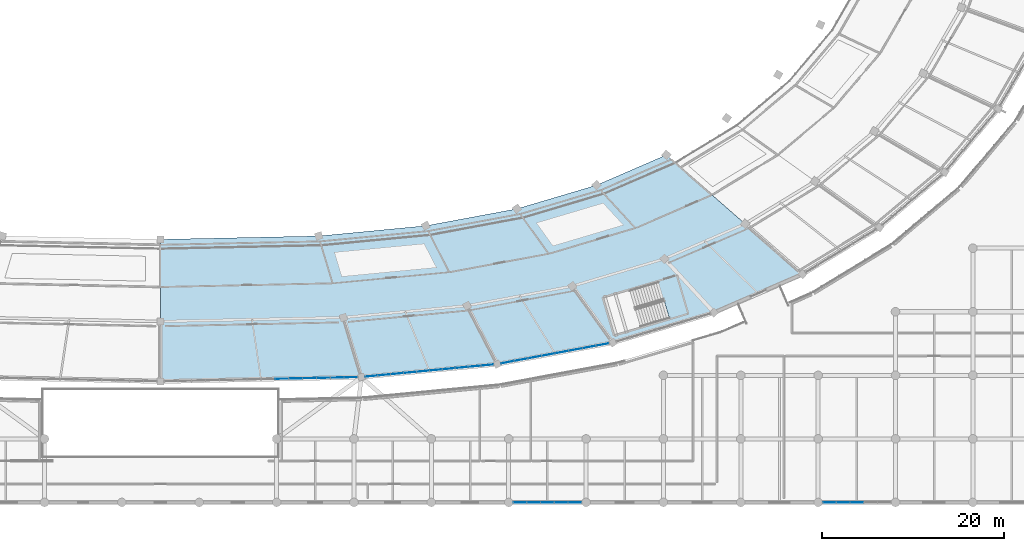
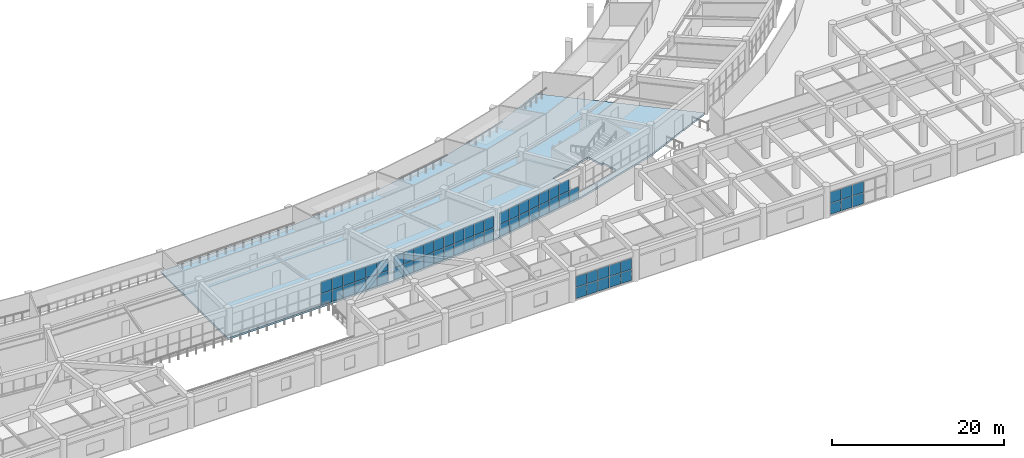
# One storey, part 78 of 141: 63 plates, 1 slab, 5 elements without a shape of their own.
"""IFC4 building model written with IfcOpenShell, lengths in metres."""

from ifc_helpers import new_model, si_unit, direction, frame, origin, origin_2d, place, context, subcontext, project, spatial, polyline, rectangle, outline, extrude, material, layer, layer_set, type_object, element, aggregate, save


model = new_model("IFC4")

# Units and contexts
model_context = context("Model", 3, precision=1e-05, world=origin(), true_north=direction((0.0, 1.0)))
body_context = subcontext(model_context, "Body", "Model", "MODEL_VIEW")
ifc_project = project(units=[si_unit("LENGTHUNIT", "METRE"), si_unit("AREAUNIT", "SQUARE_METRE"), si_unit("VOLUMEUNIT", "CUBIC_METRE"), si_unit("PLANEANGLEUNIT", "RADIAN"), si_unit("MASSUNIT", "GRAM", prefix="KILO")], contexts=[model_context])

# Site, building, storey
site_placement = place(None, origin())
site = spatial("IfcSite", under=ifc_project, at=site_placement, CompositionType="ELEMENT")
building_placement = place(site_placement, origin())
building = spatial("IfcBuilding", under=site, at=building_placement, Name="Mphavela Belvedere Stadium", CompositionType="ELEMENT")
storey_placement = place(building_placement, frame((0.0, 0.0, 14.699951171875)))
storey = spatial("IfcBuildingStorey", under=building, at=storey_placement, Name="L03", CompositionType="ELEMENT", Elevation=14.699951171875)

# Curtain wall, plates
ifc_material_1 = material(Name="Anodised bronze unitised curtain wall framing")
ifc_layer_1 = layer(ifc_material_1, 0.179931640625)
ifc_layer_set_1 = layer_set([ifc_layer_1], Name="Anodised bronze unitised curtain wall framing")
curtain_wall_type_1 = type_object("IfcCurtainWallType", Name="CW-UNIT-01", PredefinedType="USERDEFINED", material=ifc_layer_set_1)
curtain_wall_1_placement = place(storey_placement, origin())
curtain_wall_1 = element("IfcCurtainWall", 1, at=curtain_wall_1_placement, inside=storey, type_object=curtain_wall_type_1, Name="Belvedere colonnade curtain wall L03-37", ObjectType="UNITISED CURTAIN WALL", PredefinedType="USERDEFINED")
ifc_material_2 = material(Name="Solar-control double glazing", Category="glass")
ifc_layer_2 = layer(ifc_material_2, 0.031982421875)
ifc_layer_set_2 = layer_set([ifc_layer_2], Name="Solar-control double glazing")
plate_type = type_object("IfcPlateType", Name="CWP-SOLAR-GLASS", PredefinedType="CURTAIN_PANEL", material=ifc_layer_set_2)
plate_1_placement = place(storey_placement, frame((128.346923828125, 13.617431640625, 0.06005859375), z_axis=(0.0, 0.0, 1.0), x_axis=(0.999768179453, 0.02153107878, 0.0)))
plate_1 = element("IfcPlate", 2, at=plate_1_placement, type_object=plate_type, Name="CW-01 panel 9.1", PredefinedType="CURTAIN_PANEL", context=body_context, shape_type="SweptSolid", body=[
    extrude(rectangle(XDim=1.461669921875, YDim=0.031982421875, at=origin_2d()), origin(), (0.0, 0.0, 1.0), 1.6201171875),
])
plate_2_placement = place(storey_placement, frame((128.346923828125, 13.617431640625, 1.739990234375), z_axis=(0.0, 0.0, 1.0), x_axis=(0.999768179453, 0.02153107878, 0.0)))
plate_2 = element("IfcPlate", 3, at=plate_2_placement, type_object=plate_type, Name="CW-01 panel 9.2", PredefinedType="CURTAIN_PANEL", context=body_context, shape_type="SweptSolid", body=[
    extrude(rectangle(XDim=1.461669921875, YDim=0.031982421875, at=origin_2d()), origin(), (0.0, 0.0, 1.0), 1.6201171875),
])
plate_3_placement = place(storey_placement, frame((129.873046875, 13.650390625, 0.06005859375), z_axis=(0.0, 0.0, 1.0), x_axis=(0.999768179453, 0.02153107878, 0.0)))
plate_3 = element("IfcPlate", 4, at=plate_3_placement, type_object=plate_type, Name="CW-01 panel 10.1", PredefinedType="CURTAIN_PANEL", context=body_context, shape_type="SweptSolid", body=[
    extrude(rectangle(XDim=1.461669921875, YDim=0.031982421875, at=origin_2d()), origin(), (0.0, 0.0, 1.0), 1.6201171875),
])
plate_4_placement = place(storey_placement, frame((129.873046875, 13.650390625, 1.739990234375), z_axis=(0.0, 0.0, 1.0), x_axis=(0.999768179453, 0.02153107878, 0.0)))
plate_4 = element("IfcPlate", 5, at=plate_4_placement, type_object=plate_type, Name="CW-01 panel 10.2", PredefinedType="CURTAIN_PANEL", context=body_context, shape_type="SweptSolid", body=[
    extrude(rectangle(XDim=1.461669921875, YDim=0.031982421875, at=origin_2d()), origin(), (0.0, 0.0, 1.0), 1.6201171875),
])
plate_5_placement = place(storey_placement, frame((131.3994140625, 13.68310546875, 0.06005859375), z_axis=(0.0, 0.0, 1.0), x_axis=(0.999768179453, 0.02153107878, 0.0)))
plate_5 = element("IfcPlate", 6, at=plate_5_placement, type_object=plate_type, Name="CW-01 panel 11.1", PredefinedType="CURTAIN_PANEL", context=body_context, shape_type="SweptSolid", body=[
    extrude(rectangle(XDim=1.461669921875, YDim=0.031982421875, at=origin_2d()), origin(), (0.0, 0.0, 1.0), 1.6201171875),
])
plate_6_placement = place(storey_placement, frame((131.3994140625, 13.68310546875, 1.739990234375), z_axis=(0.0, 0.0, 1.0), x_axis=(0.999768179453, 0.02153107878, 0.0)))
plate_6 = element("IfcPlate", 7, at=plate_6_placement, type_object=plate_type, Name="CW-01 panel 11.2", PredefinedType="CURTAIN_PANEL", context=body_context, shape_type="SweptSolid", body=[
    extrude(rectangle(XDim=1.461669921875, YDim=0.031982421875, at=origin_2d()), origin(), (0.0, 0.0, 1.0), 1.6201171875),
])
plate_7_placement = place(storey_placement, frame((132.92578125, 13.716064453125, 0.06005859375), z_axis=(0.0, 0.0, 1.0), x_axis=(0.999768179453, 0.02153107878, 0.0)))
plate_7 = element("IfcPlate", 8, at=plate_7_placement, type_object=plate_type, Name="CW-01 panel 12.1", PredefinedType="CURTAIN_PANEL", context=body_context, shape_type="SweptSolid", body=[
    extrude(rectangle(XDim=1.461669921875, YDim=0.031982421875, at=origin_2d()), origin(), (0.0, 0.0, 1.0), 1.6201171875),
])
plate_8_placement = place(storey_placement, frame((132.92578125, 13.716064453125, 1.739990234375), z_axis=(0.0, 0.0, 1.0), x_axis=(0.999768179453, 0.02153107878, 0.0)))
plate_8 = element("IfcPlate", 9, at=plate_8_placement, type_object=plate_type, Name="CW-01 panel 12.2", PredefinedType="CURTAIN_PANEL", context=body_context, shape_type="SweptSolid", body=[
    extrude(rectangle(XDim=1.461669921875, YDim=0.031982421875, at=origin_2d()), origin(), (0.0, 0.0, 1.0), 1.6201171875),
])
plate_9_placement = place(storey_placement, frame((134.4521484375, 13.748779296875, 0.06005859375), z_axis=(0.0, 0.0, 1.0), x_axis=(0.999768179453, 0.02153107878, 0.0)))
plate_9 = element("IfcPlate", 10, at=plate_9_placement, type_object=plate_type, Name="CW-01 panel 13.1", PredefinedType="CURTAIN_PANEL", context=body_context, shape_type="SweptSolid", body=[
    extrude(rectangle(XDim=1.461669921875, YDim=0.031982421875, at=origin_2d()), origin(), (0.0, 0.0, 1.0), 1.6201171875),
])
plate_10_placement = place(storey_placement, frame((134.4521484375, 13.748779296875, 1.739990234375), z_axis=(0.0, 0.0, 1.0), x_axis=(0.999768179453, 0.02153107878, 0.0)))
plate_10 = element("IfcPlate", 11, at=plate_10_placement, type_object=plate_type, Name="CW-01 panel 13.2", PredefinedType="CURTAIN_PANEL", context=body_context, shape_type="SweptSolid", body=[
    extrude(rectangle(XDim=1.461669921875, YDim=0.031982421875, at=origin_2d()), origin(), (0.0, 0.0, 1.0), 1.6201171875),
])
plate_11_placement = place(storey_placement, frame((135.96240234375, 13.781494140625, 0.06005859375), z_axis=(0.0, 0.0, 1.0), x_axis=(0.999768179453, 0.02153107878, 0.0)))
plate_11 = element("IfcPlate", 12, at=plate_11_placement, type_object=plate_type, Name="CW-01 panel 14.1", PredefinedType="CURTAIN_PANEL", context=body_context, shape_type="SweptSolid", body=[
    extrude(rectangle(XDim=1.42919921875, YDim=0.031982421875, at=origin_2d()), origin(), (0.0, 0.0, 1.0), 1.6201171875),
])
plate_12_placement = place(storey_placement, frame((135.96240234375, 13.781494140625, 1.739990234375), z_axis=(0.0, 0.0, 1.0), x_axis=(0.999768179453, 0.02153107878, 0.0)))
plate_12 = element("IfcPlate", 13, at=plate_12_placement, type_object=plate_type, Name="CW-01 panel 14.2", PredefinedType="CURTAIN_PANEL", context=body_context, shape_type="SweptSolid", body=[
    extrude(rectangle(XDim=1.42919921875, YDim=0.031982421875, at=origin_2d()), origin(), (0.0, 0.0, 1.0), 1.6201171875),
])
aggregate(curtain_wall_1, [plate_1, plate_2, plate_3, plate_4, plate_5, plate_6, plate_7, plate_8, plate_9, plate_10, plate_11, plate_12])

ifc_material_3 = material(Name="Anodised bronze unitised curtain wall framing")
ifc_layer_3 = layer(ifc_material_3, 0.18505859375)
ifc_layer_set_3 = layer_set([ifc_layer_3], Name="Anodised bronze unitised curtain wall framing")
curtain_wall_type_2 = type_object("IfcCurtainWallType", Name="CW-UNIT-02", PredefinedType="USERDEFINED", material=ifc_layer_set_3)
curtain_wall_2_placement = place(storey_placement, origin())
curtain_wall_2 = element("IfcCurtainWall", 14, at=curtain_wall_2_placement, inside=storey, type_object=curtain_wall_type_2, Name="Belvedere colonnade curtain wall L03-38", ObjectType="UNITISED CURTAIN WALL", PredefinedType="USERDEFINED")
plate_13_placement = place(storey_placement, frame((138.212890625, 13.910888671875, 0.06005859375), z_axis=(0.0, 0.0, 1.0), x_axis=(0.99548400913, 0.094929381996, 0.0)))
plate_13 = element("IfcPlate", 15, at=plate_13_placement, type_object=plate_type, Name="CW-02 panel 1.1", PredefinedType="CURTAIN_PANEL", context=body_context, shape_type="SweptSolid", body=[
    extrude(rectangle(XDim=1.33056640625, YDim=0.031982421875, at=origin_2d()), origin(), (0.0, 0.0, 1.0), 1.6201171875),
])
plate_14_placement = place(storey_placement, frame((138.212890625, 13.910888671875, 1.739990234375), z_axis=(0.0, 0.0, 1.0), x_axis=(0.99548400913, 0.094929381996, 0.0)))
plate_14 = element("IfcPlate", 16, at=plate_14_placement, type_object=plate_type, Name="CW-02 panel 1.2", PredefinedType="CURTAIN_PANEL", context=body_context, shape_type="SweptSolid", body=[
    extrude(rectangle(XDim=1.33056640625, YDim=0.031982421875, at=origin_2d()), origin(), (0.0, 0.0, 1.0), 1.6201171875),
])
plate_15_placement = place(storey_placement, frame((139.6181640625, 14.044921875, 0.06005859375), z_axis=(0.0, 0.0, 1.0), x_axis=(0.99548400913, 0.094929381996, 0.0)))
plate_15 = element("IfcPlate", 17, at=plate_15_placement, type_object=plate_type, Name="CW-02 panel 2.1", PredefinedType="CURTAIN_PANEL", context=body_context, shape_type="SweptSolid", body=[
    extrude(rectangle(XDim=1.363037109375, YDim=0.031982421875, at=origin_2d()), origin(), (0.0, 0.0, 1.0), 1.6201171875),
])
plate_16_placement = place(storey_placement, frame((139.6181640625, 14.044921875, 1.739990234375), z_axis=(0.0, 0.0, 1.0), x_axis=(0.99548400913, 0.094929381996, 0.0)))
plate_16 = element("IfcPlate", 18, at=plate_16_placement, type_object=plate_type, Name="CW-02 panel 2.2", PredefinedType="CURTAIN_PANEL", context=body_context, shape_type="SweptSolid", body=[
    extrude(rectangle(XDim=1.363037109375, YDim=0.031982421875, at=origin_2d()), origin(), (0.0, 0.0, 1.0), 1.6201171875),
])
plate_17_placement = place(storey_placement, frame((141.039794921875, 14.180419921875, 0.06005859375), z_axis=(0.0, 0.0, 1.0), x_axis=(0.99548400913, 0.094929381996, 0.0)))
plate_17 = element("IfcPlate", 19, at=plate_17_placement, type_object=plate_type, Name="CW-02 panel 3.1", PredefinedType="CURTAIN_PANEL", context=body_context, shape_type="SweptSolid", body=[
    extrude(rectangle(XDim=1.363037109375, YDim=0.031982421875, at=origin_2d()), origin(), (0.0, 0.0, 1.0), 1.6201171875),
])
plate_18_placement = place(storey_placement, frame((141.039794921875, 14.180419921875, 1.739990234375), z_axis=(0.0, 0.0, 1.0), x_axis=(0.99548400913, 0.094929381996, 0.0)))
plate_18 = element("IfcPlate", 20, at=plate_18_placement, type_object=plate_type, Name="CW-02 panel 3.2", PredefinedType="CURTAIN_PANEL", context=body_context, shape_type="SweptSolid", body=[
    extrude(rectangle(XDim=1.363037109375, YDim=0.031982421875, at=origin_2d()), origin(), (0.0, 0.0, 1.0), 1.6201171875),
])
plate_19_placement = place(storey_placement, frame((142.46142578125, 14.316162109375, 0.06005859375), z_axis=(0.0, 0.0, 1.0), x_axis=(0.99548400913, 0.094929381996, 0.0)))
plate_19 = element("IfcPlate", 21, at=plate_19_placement, type_object=plate_type, Name="CW-02 panel 4.1", PredefinedType="CURTAIN_PANEL", context=body_context, shape_type="SweptSolid", body=[
    extrude(rectangle(XDim=1.363037109375, YDim=0.031982421875, at=origin_2d()), origin(), (0.0, 0.0, 1.0), 1.6201171875),
])
plate_20_placement = place(storey_placement, frame((142.46142578125, 14.316162109375, 1.739990234375), z_axis=(0.0, 0.0, 1.0), x_axis=(0.99548400913, 0.094929381996, 0.0)))
plate_20 = element("IfcPlate", 22, at=plate_20_placement, type_object=plate_type, Name="CW-02 panel 4.2", PredefinedType="CURTAIN_PANEL", context=body_context, shape_type="SweptSolid", body=[
    extrude(rectangle(XDim=1.363037109375, YDim=0.031982421875, at=origin_2d()), origin(), (0.0, 0.0, 1.0), 1.6201171875),
])
plate_21_placement = place(storey_placement, frame((143.8828125, 14.45166015625, 0.06005859375), z_axis=(0.0, 0.0, 1.0), x_axis=(0.99548400913, 0.094929381996, 0.0)))
plate_21 = element("IfcPlate", 23, at=plate_21_placement, type_object=plate_type, Name="CW-02 panel 5.1", PredefinedType="CURTAIN_PANEL", context=body_context, shape_type="SweptSolid", body=[
    extrude(rectangle(XDim=1.363037109375, YDim=0.031982421875, at=origin_2d()), origin(), (0.0, 0.0, 1.0), 1.6201171875),
])
plate_22_placement = place(storey_placement, frame((143.8828125, 14.45166015625, 1.739990234375), z_axis=(0.0, 0.0, 1.0), x_axis=(0.99548400913, 0.094929381996, 0.0)))
plate_22 = element("IfcPlate", 24, at=plate_22_placement, type_object=plate_type, Name="CW-02 panel 5.2", PredefinedType="CURTAIN_PANEL", context=body_context, shape_type="SweptSolid", body=[
    extrude(rectangle(XDim=1.363037109375, YDim=0.031982421875, at=origin_2d()), origin(), (0.0, 0.0, 1.0), 1.6201171875),
])
plate_23_placement = place(storey_placement, frame((145.304443359375, 14.587158203125, 0.06005859375), z_axis=(0.0, 0.0, 1.0), x_axis=(0.99548400913, 0.094929381996, 0.0)))
plate_23 = element("IfcPlate", 25, at=plate_23_placement, type_object=plate_type, Name="CW-02 panel 6.1", PredefinedType="CURTAIN_PANEL", context=body_context, shape_type="SweptSolid", body=[
    extrude(rectangle(XDim=1.363037109375, YDim=0.031982421875, at=origin_2d()), origin(), (0.0, 0.0, 1.0), 1.6201171875),
])
plate_24_placement = place(storey_placement, frame((145.304443359375, 14.587158203125, 1.739990234375), z_axis=(0.0, 0.0, 1.0), x_axis=(0.99548400913, 0.094929381996, 0.0)))
plate_24 = element("IfcPlate", 26, at=plate_24_placement, type_object=plate_type, Name="CW-02 panel 6.2", PredefinedType="CURTAIN_PANEL", context=body_context, shape_type="SweptSolid", body=[
    extrude(rectangle(XDim=1.363037109375, YDim=0.031982421875, at=origin_2d()), origin(), (0.0, 0.0, 1.0), 1.6201171875),
])
plate_25_placement = place(storey_placement, frame((146.72607421875, 14.72265625, 0.06005859375), z_axis=(0.0, 0.0, 1.0), x_axis=(0.99548400913, 0.094929381996, 0.0)))
plate_25 = element("IfcPlate", 27, at=plate_25_placement, type_object=plate_type, Name="CW-02 panel 7.1", PredefinedType="CURTAIN_PANEL", context=body_context, shape_type="SweptSolid", body=[
    extrude(rectangle(XDim=1.363037109375, YDim=0.031982421875, at=origin_2d()), origin(), (0.0, 0.0, 1.0), 1.6201171875),
])
plate_26_placement = place(storey_placement, frame((146.72607421875, 14.72265625, 1.739990234375), z_axis=(0.0, 0.0, 1.0), x_axis=(0.99548400913, 0.094929381996, 0.0)))
plate_26 = element("IfcPlate", 28, at=plate_26_placement, type_object=plate_type, Name="CW-02 panel 7.2", PredefinedType="CURTAIN_PANEL", context=body_context, shape_type="SweptSolid", body=[
    extrude(rectangle(XDim=1.363037109375, YDim=0.031982421875, at=origin_2d()), origin(), (0.0, 0.0, 1.0), 1.6201171875),
])
plate_27_placement = place(storey_placement, frame((148.147705078125, 14.8583984375, 0.06005859375), z_axis=(0.0, 0.0, 1.0), x_axis=(0.99548400913, 0.094929381996, 0.0)))
plate_27 = element("IfcPlate", 29, at=plate_27_placement, type_object=plate_type, Name="CW-02 panel 8.1", PredefinedType="CURTAIN_PANEL", context=body_context, shape_type="SweptSolid", body=[
    extrude(rectangle(XDim=1.363037109375, YDim=0.031982421875, at=origin_2d()), origin(), (0.0, 0.0, 1.0), 1.6201171875),
])
plate_28_placement = place(storey_placement, frame((148.147705078125, 14.8583984375, 1.739990234375), z_axis=(0.0, 0.0, 1.0), x_axis=(0.99548400913, 0.094929381996, 0.0)))
plate_28 = element("IfcPlate", 30, at=plate_28_placement, type_object=plate_type, Name="CW-02 panel 8.2", PredefinedType="CURTAIN_PANEL", context=body_context, shape_type="SweptSolid", body=[
    extrude(rectangle(XDim=1.363037109375, YDim=0.031982421875, at=origin_2d()), origin(), (0.0, 0.0, 1.0), 1.6201171875),
])
plate_29_placement = place(storey_placement, frame((149.569091796875, 14.993896484375, 0.06005859375), z_axis=(0.0, 0.0, 1.0), x_axis=(0.99548400913, 0.094929381996, 0.0)))
plate_29 = element("IfcPlate", 31, at=plate_29_placement, type_object=plate_type, Name="CW-02 panel 9.1", PredefinedType="CURTAIN_PANEL", context=body_context, shape_type="SweptSolid", body=[
    extrude(rectangle(XDim=1.363037109375, YDim=0.031982421875, at=origin_2d()), origin(), (0.0, 0.0, 1.0), 1.6201171875),
])
plate_30_placement = place(storey_placement, frame((149.569091796875, 14.993896484375, 1.739990234375), z_axis=(0.0, 0.0, 1.0), x_axis=(0.99548400913, 0.094929381996, 0.0)))
plate_30 = element("IfcPlate", 32, at=plate_30_placement, type_object=plate_type, Name="CW-02 panel 9.2", PredefinedType="CURTAIN_PANEL", context=body_context, shape_type="SweptSolid", body=[
    extrude(rectangle(XDim=1.363037109375, YDim=0.031982421875, at=origin_2d()), origin(), (0.0, 0.0, 1.0), 1.6201171875),
])
plate_31_placement = place(storey_placement, frame((150.974609375, 15.1279296875, 0.06005859375), z_axis=(0.0, 0.0, 1.0), x_axis=(0.99548400913, 0.094929381996, 0.0)))
plate_31 = element("IfcPlate", 33, at=plate_31_placement, type_object=plate_type, Name="CW-02 panel 10.1", PredefinedType="CURTAIN_PANEL", context=body_context, shape_type="SweptSolid", body=[
    extrude(rectangle(XDim=1.33056640625, YDim=0.031982421875, at=origin_2d()), origin(), (0.0, 0.0, 1.0), 1.6201171875),
])
plate_32_placement = place(storey_placement, frame((150.974609375, 15.1279296875, 1.739990234375), z_axis=(0.0, 0.0, 1.0), x_axis=(0.99548400913, 0.094929381996, 0.0)))
plate_32 = element("IfcPlate", 34, at=plate_32_placement, type_object=plate_type, Name="CW-02 panel 10.2", PredefinedType="CURTAIN_PANEL", context=body_context, shape_type="SweptSolid", body=[
    extrude(rectangle(XDim=1.33056640625, YDim=0.031982421875, at=origin_2d()), origin(), (0.0, 0.0, 1.0), 1.6201171875),
])
aggregate(curtain_wall_2, [plate_13, plate_14, plate_15, plate_16, plate_17, plate_18, plate_19, plate_20, plate_21, plate_22, plate_23, plate_24, plate_25, plate_26, plate_27, plate_28, plate_29, plate_30, plate_31, plate_32])

ifc_material_4 = material(Name="Anodised bronze unitised curtain wall framing")
ifc_layer_4 = layer(ifc_material_4, 0.18994140625)
ifc_layer_set_4 = layer_set([ifc_layer_4], Name="Anodised bronze unitised curtain wall framing")
curtain_wall_type_3 = type_object("IfcCurtainWallType", Name="CW-UNIT-03", PredefinedType="USERDEFINED", material=ifc_layer_set_4)
curtain_wall_3_placement = place(storey_placement, origin())
curtain_wall_3 = element("IfcCurtainWall", 35, at=curtain_wall_3_placement, inside=storey, type_object=curtain_wall_type_3, Name="Belvedere colonnade curtain wall L03-39", ObjectType="UNITISED CURTAIN WALL", PredefinedType="USERDEFINED")
plate_33_placement = place(storey_placement, frame((153.205078125, 15.443603515625, 0.06005859375), z_axis=(0.0, 0.0, 1.0), x_axis=(0.983096546836, 0.18308790129, 0.0)))
plate_33 = element("IfcPlate", 36, at=plate_33_placement, type_object=plate_type, Name="CW-03 panel 1.1", PredefinedType="CURTAIN_PANEL", context=body_context, shape_type="SweptSolid", body=[
    extrude(rectangle(XDim=1.427734375, YDim=0.031982421875, at=origin_2d()), origin(), (0.0, 0.0, 1.0), 1.6201171875),
])
plate_34_placement = place(storey_placement, frame((153.205078125, 15.443603515625, 1.739990234375), z_axis=(0.0, 0.0, 1.0), x_axis=(0.983096546836, 0.18308790129, 0.0)))
plate_34 = element("IfcPlate", 37, at=plate_34_placement, type_object=plate_type, Name="CW-03 panel 1.2", PredefinedType="CURTAIN_PANEL", context=body_context, shape_type="SweptSolid", body=[
    extrude(rectangle(XDim=1.427734375, YDim=0.031982421875, at=origin_2d()), origin(), (0.0, 0.0, 1.0), 1.6201171875),
])
plate_35_placement = place(storey_placement, frame((154.6884765625, 15.7197265625, 0.06005859375), z_axis=(0.0, 0.0, 1.0), x_axis=(0.983096546836, 0.18308790129, 0.0)))
plate_35 = element("IfcPlate", 38, at=plate_35_placement, type_object=plate_type, Name="CW-03 panel 2.1", PredefinedType="CURTAIN_PANEL", context=body_context, shape_type="SweptSolid", body=[
    extrude(rectangle(XDim=1.460205078125, YDim=0.031982421875, at=origin_2d()), origin(), (0.0, 0.0, 1.0), 1.6201171875),
])
plate_36_placement = place(storey_placement, frame((154.6884765625, 15.7197265625, 1.739990234375), z_axis=(0.0, 0.0, 1.0), x_axis=(0.983096546836, 0.18308790129, 0.0)))
plate_36 = element("IfcPlate", 39, at=plate_36_placement, type_object=plate_type, Name="CW-03 panel 2.2", PredefinedType="CURTAIN_PANEL", context=body_context, shape_type="SweptSolid", body=[
    extrude(rectangle(XDim=1.460205078125, YDim=0.031982421875, at=origin_2d()), origin(), (0.0, 0.0, 1.0), 1.6201171875),
])
plate_37_placement = place(storey_placement, frame((156.18798828125, 15.9990234375, 0.06005859375), z_axis=(0.0, 0.0, 1.0), x_axis=(0.983096546836, 0.18308790129, 0.0)))
plate_37 = element("IfcPlate", 40, at=plate_37_placement, type_object=plate_type, Name="CW-03 panel 3.1", PredefinedType="CURTAIN_PANEL", context=body_context, shape_type="SweptSolid", body=[
    extrude(rectangle(XDim=1.460205078125, YDim=0.031982421875, at=origin_2d()), origin(), (0.0, 0.0, 1.0), 1.6201171875),
])
plate_38_placement = place(storey_placement, frame((156.18798828125, 15.9990234375, 1.739990234375), z_axis=(0.0, 0.0, 1.0), x_axis=(0.983096546836, 0.18308790129, 0.0)))
plate_38 = element("IfcPlate", 41, at=plate_38_placement, type_object=plate_type, Name="CW-03 panel 3.2", PredefinedType="CURTAIN_PANEL", context=body_context, shape_type="SweptSolid", body=[
    extrude(rectangle(XDim=1.460205078125, YDim=0.031982421875, at=origin_2d()), origin(), (0.0, 0.0, 1.0), 1.6201171875),
])
plate_39_placement = place(storey_placement, frame((157.687255859375, 16.2783203125, 0.06005859375), z_axis=(0.0, 0.0, 1.0), x_axis=(0.983096546836, 0.18308790129, 0.0)))
plate_39 = element("IfcPlate", 42, at=plate_39_placement, type_object=plate_type, Name="CW-03 panel 4.1", PredefinedType="CURTAIN_PANEL", context=body_context, shape_type="SweptSolid", body=[
    extrude(rectangle(XDim=1.460205078125, YDim=0.031982421875, at=origin_2d()), origin(), (0.0, 0.0, 1.0), 1.6201171875),
])
plate_40_placement = place(storey_placement, frame((157.687255859375, 16.2783203125, 1.739990234375), z_axis=(0.0, 0.0, 1.0), x_axis=(0.983096546836, 0.18308790129, 0.0)))
plate_40 = element("IfcPlate", 43, at=plate_40_placement, type_object=plate_type, Name="CW-03 panel 4.2", PredefinedType="CURTAIN_PANEL", context=body_context, shape_type="SweptSolid", body=[
    extrude(rectangle(XDim=1.460205078125, YDim=0.031982421875, at=origin_2d()), origin(), (0.0, 0.0, 1.0), 1.6201171875),
])
plate_41_placement = place(storey_placement, frame((159.186767578125, 16.557373046875, 0.06005859375), z_axis=(0.0, 0.0, 1.0), x_axis=(0.983096546836, 0.18308790129, 0.0)))
plate_41 = element("IfcPlate", 44, at=plate_41_placement, type_object=plate_type, Name="CW-03 panel 5.1", PredefinedType="CURTAIN_PANEL", context=body_context, shape_type="SweptSolid", body=[
    extrude(rectangle(XDim=1.460205078125, YDim=0.031982421875, at=origin_2d()), origin(), (0.0, 0.0, 1.0), 1.6201171875),
])
plate_42_placement = place(storey_placement, frame((159.186767578125, 16.557373046875, 1.739990234375), z_axis=(0.0, 0.0, 1.0), x_axis=(0.983096546836, 0.18308790129, 0.0)))
plate_42 = element("IfcPlate", 45, at=plate_42_placement, type_object=plate_type, Name="CW-03 panel 5.2", PredefinedType="CURTAIN_PANEL", context=body_context, shape_type="SweptSolid", body=[
    extrude(rectangle(XDim=1.460205078125, YDim=0.031982421875, at=origin_2d()), origin(), (0.0, 0.0, 1.0), 1.6201171875),
])
plate_43_placement = place(storey_placement, frame((160.68603515625, 16.836669921875, 0.06005859375), z_axis=(0.0, 0.0, 1.0), x_axis=(0.983096546836, 0.18308790129, 0.0)))
plate_43 = element("IfcPlate", 46, at=plate_43_placement, type_object=plate_type, Name="CW-03 panel 6.1", PredefinedType="CURTAIN_PANEL", context=body_context, shape_type="SweptSolid", body=[
    extrude(rectangle(XDim=1.460205078125, YDim=0.031982421875, at=origin_2d()), origin(), (0.0, 0.0, 1.0), 1.6201171875),
])
plate_44_placement = place(storey_placement, frame((160.68603515625, 16.836669921875, 1.739990234375), z_axis=(0.0, 0.0, 1.0), x_axis=(0.983096546836, 0.18308790129, 0.0)))
plate_44 = element("IfcPlate", 47, at=plate_44_placement, type_object=plate_type, Name="CW-03 panel 6.2", PredefinedType="CURTAIN_PANEL", context=body_context, shape_type="SweptSolid", body=[
    extrude(rectangle(XDim=1.460205078125, YDim=0.031982421875, at=origin_2d()), origin(), (0.0, 0.0, 1.0), 1.6201171875),
])
plate_45_placement = place(storey_placement, frame((162.185546875, 17.115966796875, 0.06005859375), z_axis=(0.0, 0.0, 1.0), x_axis=(0.983096546836, 0.18308790129, 0.0)))
plate_45 = element("IfcPlate", 48, at=plate_45_placement, type_object=plate_type, Name="CW-03 panel 7.1", PredefinedType="CURTAIN_PANEL", context=body_context, shape_type="SweptSolid", body=[
    extrude(rectangle(XDim=1.460205078125, YDim=0.031982421875, at=origin_2d()), origin(), (0.0, 0.0, 1.0), 1.6201171875),
])
plate_46_placement = place(storey_placement, frame((162.185546875, 17.115966796875, 1.739990234375), z_axis=(0.0, 0.0, 1.0), x_axis=(0.983096546836, 0.18308790129, 0.0)))
plate_46 = element("IfcPlate", 49, at=plate_46_placement, type_object=plate_type, Name="CW-03 panel 7.2", PredefinedType="CURTAIN_PANEL", context=body_context, shape_type="SweptSolid", body=[
    extrude(rectangle(XDim=1.460205078125, YDim=0.031982421875, at=origin_2d()), origin(), (0.0, 0.0, 1.0), 1.6201171875),
])
plate_47_placement = place(storey_placement, frame((163.6689453125, 17.39208984375, 0.06005859375), z_axis=(0.0, 0.0, 1.0), x_axis=(0.983096546836, 0.18308790129, 0.0)))
plate_47 = element("IfcPlate", 50, at=plate_47_placement, type_object=plate_type, Name="CW-03 panel 8.1", PredefinedType="CURTAIN_PANEL", context=body_context, shape_type="SweptSolid", body=[
    extrude(rectangle(XDim=1.427734375, YDim=0.031982421875, at=origin_2d()), origin(), (0.0, 0.0, 1.0), 1.6201171875),
])
aggregate(curtain_wall_3, [plate_33, plate_34, plate_35, plate_36, plate_37, plate_38, plate_39, plate_40, plate_41, plate_42, plate_43, plate_44, plate_45, plate_46, plate_47])

curtain_wall_4_placement = place(storey_placement, origin())
curtain_wall_4 = element("IfcCurtainWall", 51, at=curtain_wall_4_placement, inside=storey, type_object=curtain_wall_type_1, Name="South Axial Triumphal Peristyle Portico gallery curtain wall L03-19", ObjectType="UNITISED CURTAIN WALL", PredefinedType="USERDEFINED")
plate_48_placement = place(storey_placement, frame((160.60546875, 0.0, 0.06005859375), z_axis=(0.0, 0.0, 1.0), x_axis=(-1.0, 0.0, 0.0)))
plate_48 = element("IfcPlate", 52, at=plate_48_placement, type_object=plate_type, Name="CW-01 panel 1.1", PredefinedType="CURTAIN_PANEL", context=body_context, shape_type="SweptSolid", body=[
    extrude(rectangle(XDim=1.4169921875, YDim=0.031982421875, at=origin_2d()), origin(), (0.0, 0.0, 1.0), 1.5400390625),
])
plate_49_placement = place(storey_placement, frame((160.60546875, 0.0, 1.659912109375), z_axis=(0.0, 0.0, 1.0), x_axis=(-1.0, 0.0, 0.0)))
plate_49 = element("IfcPlate", 53, at=plate_49_placement, type_object=plate_type, Name="CW-01 panel 1.2", PredefinedType="CURTAIN_PANEL", context=body_context, shape_type="SweptSolid", body=[
    extrude(rectangle(XDim=1.4169921875, YDim=0.031982421875, at=origin_2d()), origin(), (0.0, 0.0, 1.0), 1.5400390625),
])
plate_50_placement = place(storey_placement, frame((159.107177734375, 0.0, 0.06005859375), z_axis=(0.0, 0.0, 1.0), x_axis=(-1.0, 0.0, 0.0)))
plate_50 = element("IfcPlate", 54, at=plate_50_placement, type_object=plate_type, Name="CW-01 panel 2.1", PredefinedType="CURTAIN_PANEL", context=body_context, shape_type="SweptSolid", body=[
    extrude(rectangle(XDim=1.44970703125, YDim=0.031982421875, at=origin_2d()), origin(), (0.0, 0.0, 1.0), 1.5400390625),
])
plate_51_placement = place(storey_placement, frame((159.107177734375, 0.0, 1.659912109375), z_axis=(0.0, 0.0, 1.0), x_axis=(-1.0, 0.0, 0.0)))
plate_51 = element("IfcPlate", 55, at=plate_51_placement, type_object=plate_type, Name="CW-01 panel 2.2", PredefinedType="CURTAIN_PANEL", context=body_context, shape_type="SweptSolid", body=[
    extrude(rectangle(XDim=1.44970703125, YDim=0.031982421875, at=origin_2d()), origin(), (0.0, 0.0, 1.0), 1.5400390625),
])
plate_52_placement = place(storey_placement, frame((157.592529296875, 0.0, 0.06005859375), z_axis=(0.0, 0.0, 1.0), x_axis=(-1.0, 0.0, 0.0)))
plate_52 = element("IfcPlate", 56, at=plate_52_placement, type_object=plate_type, Name="CW-01 panel 3.1", PredefinedType="CURTAIN_PANEL", context=body_context, shape_type="SweptSolid", body=[
    extrude(rectangle(XDim=1.44970703125, YDim=0.031982421875, at=origin_2d()), origin(), (0.0, 0.0, 1.0), 1.5400390625),
])
plate_53_placement = place(storey_placement, frame((157.592529296875, 0.0, 1.659912109375), z_axis=(0.0, 0.0, 1.0), x_axis=(-1.0, 0.0, 0.0)))
plate_53 = element("IfcPlate", 57, at=plate_53_placement, type_object=plate_type, Name="CW-01 panel 3.2", PredefinedType="CURTAIN_PANEL", context=body_context, shape_type="SweptSolid", body=[
    extrude(rectangle(XDim=1.44970703125, YDim=0.031982421875, at=origin_2d()), origin(), (0.0, 0.0, 1.0), 1.5400390625),
])
plate_54_placement = place(storey_placement, frame((156.077880859375, 0.0, 0.06005859375), z_axis=(0.0, 0.0, 1.0), x_axis=(-1.0, 0.0, 0.0)))
plate_54 = element("IfcPlate", 58, at=plate_54_placement, type_object=plate_type, Name="CW-01 panel 4.1", PredefinedType="CURTAIN_PANEL", context=body_context, shape_type="SweptSolid", body=[
    extrude(rectangle(XDim=1.44970703125, YDim=0.031982421875, at=origin_2d()), origin(), (0.0, 0.0, 1.0), 1.5400390625),
])
plate_55_placement = place(storey_placement, frame((156.077880859375, 0.0, 1.659912109375), z_axis=(0.0, 0.0, 1.0), x_axis=(-1.0, 0.0, 0.0)))
plate_55 = element("IfcPlate", 59, at=plate_55_placement, type_object=plate_type, Name="CW-01 panel 4.2", PredefinedType="CURTAIN_PANEL", context=body_context, shape_type="SweptSolid", body=[
    extrude(rectangle(XDim=1.44970703125, YDim=0.031982421875, at=origin_2d()), origin(), (0.0, 0.0, 1.0), 1.5400390625),
])
plate_56_placement = place(storey_placement, frame((154.57958984375, 0.0, 0.06005859375), z_axis=(0.0, 0.0, 1.0), x_axis=(-1.0, 0.0, 0.0)))
plate_56 = element("IfcPlate", 60, at=plate_56_placement, type_object=plate_type, Name="CW-01 panel 5.1", PredefinedType="CURTAIN_PANEL", context=body_context, shape_type="SweptSolid", body=[
    extrude(rectangle(XDim=1.4169921875, YDim=0.031982421875, at=origin_2d()), origin(), (0.0, 0.0, 1.0), 1.5400390625),
])
plate_57_placement = place(storey_placement, frame((154.57958984375, 0.0, 1.659912109375), z_axis=(0.0, 0.0, 1.0), x_axis=(-1.0, 0.0, 0.0)))
plate_57 = element("IfcPlate", 61, at=plate_57_placement, type_object=plate_type, Name="CW-01 panel 5.2", PredefinedType="CURTAIN_PANEL", context=body_context, shape_type="SweptSolid", body=[
    extrude(rectangle(XDim=1.4169921875, YDim=0.031982421875, at=origin_2d()), origin(), (0.0, 0.0, 1.0), 1.5400390625),
])
aggregate(curtain_wall_4, [plate_48, plate_49, plate_50, plate_51, plate_52, plate_53, plate_54, plate_55, plate_56, plate_57])

curtain_wall_5_placement = place(storey_placement, origin())
curtain_wall_5 = element("IfcCurtainWall", 62, at=curtain_wall_5_placement, inside=storey, type_object=curtain_wall_type_2, Name="South Axial Triumphal Peristyle Portico gallery curtain wall L03-23", ObjectType="UNITISED CURTAIN WALL", PredefinedType="USERDEFINED")
plate_58_placement = place(storey_placement, frame((191.66650390625, 0.0, 0.06005859375), z_axis=(0.0, 0.0, 1.0), x_axis=(-1.0, 0.0, 0.0)))
plate_58 = element("IfcPlate", 63, at=plate_58_placement, type_object=plate_type, Name="CW-02 panel 3.1", PredefinedType="CURTAIN_PANEL", context=body_context, shape_type="SweptSolid", body=[
    extrude(rectangle(XDim=1.44970703125, YDim=0.031982421875, at=origin_2d()), origin(), (0.0, 0.0, 1.0), 1.5400390625),
])
plate_59_placement = place(storey_placement, frame((191.66650390625, 0.0, 1.659912109375), z_axis=(0.0, 0.0, 1.0), x_axis=(-1.0, 0.0, 0.0)))
plate_59 = element("IfcPlate", 64, at=plate_59_placement, type_object=plate_type, Name="CW-02 panel 3.2", PredefinedType="CURTAIN_PANEL", context=body_context, shape_type="SweptSolid", body=[
    extrude(rectangle(XDim=1.44970703125, YDim=0.031982421875, at=origin_2d()), origin(), (0.0, 0.0, 1.0), 1.5400390625),
])
plate_60_placement = place(storey_placement, frame((190.15185546875, 0.0, 0.06005859375), z_axis=(0.0, 0.0, 1.0), x_axis=(-1.0, 0.0, 0.0)))
plate_60 = element("IfcPlate", 65, at=plate_60_placement, type_object=plate_type, Name="CW-02 panel 4.1", PredefinedType="CURTAIN_PANEL", context=body_context, shape_type="SweptSolid", body=[
    extrude(rectangle(XDim=1.44970703125, YDim=0.031982421875, at=origin_2d()), origin(), (0.0, 0.0, 1.0), 1.5400390625),
])
plate_61_placement = place(storey_placement, frame((190.15185546875, 0.0, 1.659912109375), z_axis=(0.0, 0.0, 1.0), x_axis=(-1.0, 0.0, 0.0)))
plate_61 = element("IfcPlate", 66, at=plate_61_placement, type_object=plate_type, Name="CW-02 panel 4.2", PredefinedType="CURTAIN_PANEL", context=body_context, shape_type="SweptSolid", body=[
    extrude(rectangle(XDim=1.44970703125, YDim=0.031982421875, at=origin_2d()), origin(), (0.0, 0.0, 1.0), 1.5400390625),
])
plate_62_placement = place(storey_placement, frame((188.653564453125, 0.0, 0.06005859375), z_axis=(0.0, 0.0, 1.0), x_axis=(-1.0, 0.0, 0.0)))
plate_62 = element("IfcPlate", 67, at=plate_62_placement, type_object=plate_type, Name="CW-02 panel 5.1", PredefinedType="CURTAIN_PANEL", context=body_context, shape_type="SweptSolid", body=[
    extrude(rectangle(XDim=1.4169921875, YDim=0.031982421875, at=origin_2d()), origin(), (0.0, 0.0, 1.0), 1.5400390625),
])
plate_63_placement = place(storey_placement, frame((188.653564453125, 0.0, 1.659912109375), z_axis=(0.0, 0.0, 1.0), x_axis=(-1.0, 0.0, 0.0)))
plate_63 = element("IfcPlate", 68, at=plate_63_placement, type_object=plate_type, Name="CW-02 panel 5.2", PredefinedType="CURTAIN_PANEL", context=body_context, shape_type="SweptSolid", body=[
    extrude(rectangle(XDim=1.4169921875, YDim=0.031982421875, at=origin_2d()), origin(), (0.0, 0.0, 1.0), 1.5400390625),
])
aggregate(curtain_wall_5, [plate_58, plate_59, plate_60, plate_61, plate_62, plate_63])

# Slab
ifc_material_5 = material(Name="Concrete C40/50", Category="concrete")
ifc_layer_5 = layer(ifc_material_5, 0.25)
ifc_layer_set_5 = layer_set([ifc_layer_5], Name="Concrete C40/50")
slab_type = type_object("IfcSlabType", Name="SLB-CONCOURSE-250", PredefinedType="FLOOR", material=ifc_layer_set_5)
slab_placement = place(storey_placement, frame((0.0, 0.0, -0.25)))
element("IfcSlab", 69, at=slab_placement, inside=storey, type_object=slab_type, Name="Concourse sector slab L03-S7:1", PredefinedType="FLOOR", context=body_context, shape_type="SweptSolid", body=[
    extrude(outline(polyline([(185.6962890625, 25.13916015625), (175.9375, 20.90869140625), (164.80126953125, 17.60302734375), (152.07275390625, 15.232666015625), (137.114501953125, 13.80615234375), (115.0, 13.330078125), (115.0, 28.967529296875), (132.42041015625, 29.342529296875), (144.20361328125, 30.46630859375), (154.230224609375, 32.33349609375), (163.002685546875, 34.9375), (170.68994140625, 38.27001953125), (185.6962890625, 25.13916015625)]), holes=[polyline([(163.7998046875, 22.5087890625), (164.991943359375, 18.491943359375), (171.02783203125, 20.283203125), (170.431640625, 22.291748046875), (170.109619140625, 22.196044921875), (169.513427734375, 24.20458984375), (163.7998046875, 22.5087890625)])]), origin(), (0.0, 0.0, 1.0), 0.25),
])

save(model, "model.ifc")
